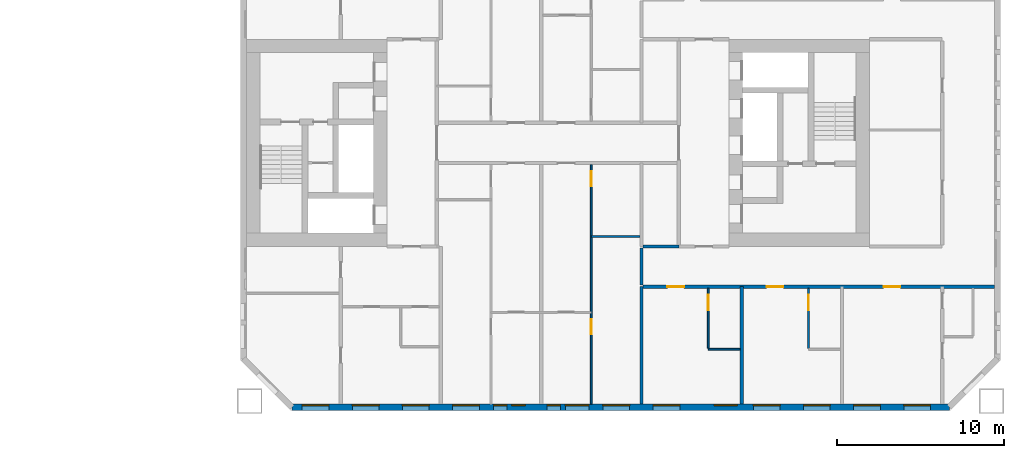
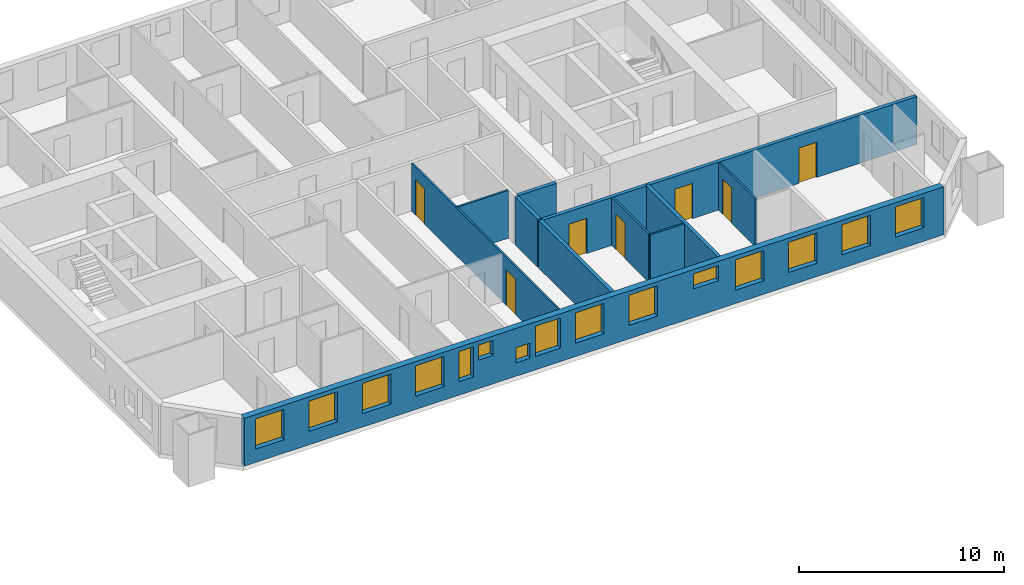
# One storey, part 13 of 19: 15 windows, 11 walls, 7 doors, 22 openings.
"""IFC4 building model written with IfcOpenShell, lengths in metres."""

import ifcopenshell
import ifcopenshell.guid

model = None  # the IFC model being written
_history = None  # IfcOwnerHistory: only IFC2X3 demands one
_inside = {}  # id of a spatial element -> (the spatial element, [elements in it])
_under = {}  # id of a project, library or spatial element -> (it, [spatial elements below it])
_declared = {}  # id of a project -> (the project, [libraries it declares])
_typed = {}  # id of a type object -> (the type object, [elements of that type])
_made_of = {}  # id of a material, layer set ... -> (it, [elements and type objects made of it])


def new_model(schema):
    """Start an empty IFC model of exactly this schema.

    Asked for "IFC4X3", IfcOpenShell would pick the latest addendum, in which some entities
    have other attributes; the version numbers below select the first issue.
    IFC2X3 requires an IfcOwnerHistory on every rooted entity: one is made here for all.
    """
    global model, _history
    if schema == "IFC4X3":
        model = ifcopenshell.file(schema_version=(4, 3, 0, 0))
    else:
        model = ifcopenshell.file(schema=schema)
    _inside.clear()
    _under.clear()
    _declared.clear()
    _typed.clear()
    _made_of.clear()
    _history = None
    if model.schema == "IFC2X3":
        org = make("IfcOrganization", Name="unknown")
        user = make(
            "IfcPersonAndOrganization",
            ThePerson=make("IfcPerson", FamilyName="unknown"),
            TheOrganization=org,
        )
        app = make(
            "IfcApplication",
            ApplicationDeveloper=org,
            Version="unknown",
            ApplicationFullName="unknown",
            ApplicationIdentifier="unknown",
        )
        _history = make(
            "IfcOwnerHistory",
            OwningUser=user,
            OwningApplication=app,
            ChangeAction="ADDED",
            CreationDate=0,
        )
    return model


def make(cls, **values):
    """One entity of the class cls with the attributes given. An attribute that is None is left unset."""
    return model.create_entity(
        cls, **{name: value for name, value in values.items() if value is not None}
    )


def rooted(cls, **values):
    """An entity with a GlobalId (a new one), such as an element, a storey or a relation."""
    return make(cls, GlobalId=ifcopenshell.guid.new(), OwnerHistory=_history, **values)


def si_unit(unit_type, name, prefix=None):
    """IfcSIUnit, for example si_unit("LENGTHUNIT", "METRE", prefix="MILLI")."""
    return make("IfcSIUnit", UnitType=unit_type, Prefix=prefix, Name=name)


def assignment(units):
    """IfcUnitAssignment: the units of a project."""
    return None if units is None else make("IfcUnitAssignment", Units=units)


def point(xyz):
    """IfcCartesianPoint."""
    return None if xyz is None else make("IfcCartesianPoint", Coordinates=xyz)


def direction(xyz):
    """IfcDirection."""
    return None if xyz is None else make("IfcDirection", DirectionRatios=xyz)


def frame(location, z_axis=None, x_axis=None):
    """IfcAxis2Placement3D, a coordinate frame: its origin and axes. An axis left out is left unset."""
    return make(
        "IfcAxis2Placement3D",
        Location=point(location),
        Axis=direction(z_axis),
        RefDirection=direction(x_axis),
    )


def frame_2d(location, x_axis=None):
    """IfcAxis2Placement2D, a coordinate frame in the plane: its origin and x axis."""
    return make(
        "IfcAxis2Placement2D", Location=point(location), RefDirection=direction(x_axis)
    )


def origin():
    """The frame at (0, 0, 0) with its axes left unset."""
    return frame((0.0, 0.0, 0.0))


def place(relative_to, where):
    """IfcLocalPlacement: puts the frame where relative to a parent placement (None: the world)."""
    return make(
        "IfcLocalPlacement", PlacementRelTo=relative_to, RelativePlacement=where
    )


def context(
    kind, dimensions, precision=None, world=None, true_north=None, identifier=None
):
    """IfcGeometricRepresentationContext, for example the 3D "Model" context."""
    return make(
        "IfcGeometricRepresentationContext",
        ContextIdentifier=identifier,
        ContextType=kind,
        CoordinateSpaceDimension=dimensions,
        Precision=precision,
        WorldCoordinateSystem=world,
        TrueNorth=true_north,
    )


def subcontext(parent, identifier, kind, view, scale=None):
    """IfcGeometricRepresentationSubContext, for example "Body" below "Model"."""
    return make(
        "IfcGeometricRepresentationSubContext",
        ContextIdentifier=identifier,
        ContextType=kind,
        ParentContext=parent,
        TargetScale=scale,
        TargetView=view,
    )


def project(units=None, contexts=None):
    """IfcProject with its units and contexts."""
    return rooted(
        "IfcProject",
        Name="project",
        RepresentationContexts=contexts,
        UnitsInContext=assignment(units),
    )


def spatial(cls, under=None, at=None, **own):
    """A site, building, storey or space (cls), placed at a placement, below another one or the project."""
    s = rooted(cls, ObjectPlacement=at, **own)
    if under is not None:
        _under.setdefault(under.id(), (under, []))[1].append(s)
    return s


def profile(cls, at=None, kind="AREA", **sizes):
    """A parametric profile (cls). Its sizes go by their IFC names, for example OverallWidth=200.0."""
    return make(cls, ProfileType=kind, Position=at, **sizes)


def rectangle(**sizes):
    """IfcRectangleProfileDef."""
    return profile("IfcRectangleProfileDef", **sizes)


def extrude(swept, where, along, depth):
    """IfcExtrudedAreaSolid: the profile swept, set in the frame where, extruded along a direction by depth."""
    return make(
        "IfcExtrudedAreaSolid",
        SweptArea=swept,
        Position=where,
        ExtrudedDirection=direction(along),
        Depth=depth,
    )


def shape(context_of_items, identifier, shape_type, items):
    """IfcShapeRepresentation: the items that make up one representation, for example the "Body"."""
    return make(
        "IfcShapeRepresentation",
        ContextOfItems=context_of_items,
        RepresentationIdentifier=identifier,
        RepresentationType=shape_type,
        Items=items,
    )


def material(Name=None, Category=None):
    """IfcMaterial."""
    return make("IfcMaterial", Name=Name, Category=Category)


def layer(
    of_material, thickness, ventilated=None, Name=None, Category=None, Priority=None
):
    """IfcMaterialLayer: one layer of a wall or slab, of a material (None: an air gap)."""
    return make(
        "IfcMaterialLayer",
        Material=of_material,
        LayerThickness=thickness,
        IsVentilated=ventilated,
        Name=Name,
        Category=Category,
        Priority=Priority,
    )


def layer_set(layers, Name=None):
    """IfcMaterialLayerSet."""
    return make("IfcMaterialLayerSet", MaterialLayers=layers, LayerSetName=Name)


def made_of(thing, what):
    """Note that an element or type object is made of a material, layer set ...; save() writes the relation."""
    if what is not None:
        _made_of.setdefault(what.id(), (what, []))[1].append(thing)
    return thing


def type_object(cls, material=None, **own):
    """A type object (cls), such as IfcWallType, which elements share."""
    return made_of(rooted(cls, **own), material)


def element(
    cls,
    number,
    at=None,
    inside=None,
    cuts=None,
    type_object=None,
    material=None,
    context=None,
    identifier="Body",
    shape_type=None,
    held_by="IfcProductDefinitionShape",
    body=None,
    shapes=None,
    **own,
):
    """One element of the class cls, such as IfcWall. Its Tag is "e" and its number.

    at: its placement. inside: the storey or other place that contains it. cuts: it is an
    opening in that element (IfcRelVoidsElement). A single representation is given by context,
    identifier, shape_type and body (its items); several are given by shapes. held_by: the class
    of the entity that holds the representations. save() writes the other relations.
    """
    e = rooted(cls, Tag="e%d" % number, ObjectPlacement=at, **own)
    if body is not None:
        shapes = [shape(context, identifier, shape_type, body)]
    if shapes is not None:
        e.Representation = make(held_by, Representations=shapes)
    if inside is not None:
        _inside.setdefault(inside.id(), (inside, []))[1].append(e)
    if cuts is not None:
        rooted(
            "IfcRelVoidsElement", RelatingBuildingElement=cuts, RelatedOpeningElement=e
        )
    if type_object is not None:
        _typed.setdefault(type_object.id(), (type_object, []))[1].append(e)
    return made_of(e, material)


def fill(opening, filler):
    """IfcRelFillsElement: the door or window that sits in an opening."""
    return rooted(
        "IfcRelFillsElement",
        RelatingOpeningElement=opening,
        RelatedBuildingElement=filler,
    )


def aggregate(whole, parts):
    """IfcRelAggregates: a whole, such as a stair, and the parts it consists of."""
    return rooted("IfcRelAggregates", RelatingObject=whole, RelatedObjects=parts)


def save(model, path):
    """Write the relations noted so far, then the file.

    IfcRelAggregates (storeys below a building ...), IfcRelContainedInSpatialStructure (elements
    in a storey), IfcRelDefinesByType, IfcRelAssociatesMaterial and IfcRelDeclares: one each for
    every whole, place, type object, material and project.
    """
    for whole, parts in _under.values():
        aggregate(whole, parts)
    for where, things in _inside.values():
        rooted(
            "IfcRelContainedInSpatialStructure",
            RelatedElements=things,
            RelatingStructure=where,
        )
    for kind, things in _typed.values():
        rooted("IfcRelDefinesByType", RelatedObjects=things, RelatingType=kind)
    for what, things in _made_of.values():
        rooted("IfcRelAssociatesMaterial", RelatedObjects=things, RelatingMaterial=what)
    for by, libraries in _declared.values():
        rooted("IfcRelDeclares", RelatingContext=by, RelatedDefinitions=libraries)
    model.write(path)


model = new_model("IFC4")

# Units and contexts
model_context = context("Model", 3, precision=1e-05, world=origin(), true_north=direction((0.0, 1.0)))
body_context = subcontext(model_context, "Body", "Model", "MODEL_VIEW")
ifc_project = project(units=[si_unit("LENGTHUNIT", "METRE"), si_unit("AREAUNIT", "SQUARE_METRE"), si_unit("VOLUMEUNIT", "CUBIC_METRE"), si_unit("PLANEANGLEUNIT", "RADIAN"), si_unit("MASSUNIT", "GRAM", prefix="KILO")], contexts=[model_context])

# Site, building, storey
site_placement = place(None, origin())
site = spatial("IfcSite", under=ifc_project, at=site_placement, CompositionType="ELEMENT")
building_placement = place(site_placement, origin())
building = spatial("IfcBuilding", under=site, at=building_placement, Name="Tuart Gate Housing", CompositionType="ELEMENT")
storey_placement = place(building_placement, frame((0.0, 0.0, 56.699951171875)))
storey = spatial("IfcBuildingStorey", under=building, at=storey_placement, Name="L15", CompositionType="ELEMENT", Elevation=56.699951171875)

# Wall, openings, windows
ifc_material_1 = material(Name="Brick", Category="masonry")
ifc_layer_1 = layer(ifc_material_1, 0.360107421875)
ifc_layer_set_1 = layer_set([ifc_layer_1], Name="Brick pier and spandrel wall 360")
wall_type_1 = type_object("IfcWallType", Name="Brick pier and spandrel wall 360", PredefinedType="STANDARD", material=ifc_layer_set_1)
wall_1_placement = place(storey_placement, frame((134.07470703125, 54.179931640625, 0.0), z_axis=(0.0, 0.0, 1.0), x_axis=(1.0, 0.0, 0.0)))
wall_1 = element("IfcWall", 1, at=wall_1_placement, inside=storey, type_object=wall_type_1, Name="External wall B-S L15", PredefinedType="STANDARD", context=body_context, shape_type="SweptSolid", body=[
    extrude(rectangle(XDim=39.350830078125, YDim=0.360107421875, at=frame_2d((19.67529296875, 0.0))), origin(), (0.0, 0.0, 1.0), 2.85009765625),
])
opening_1_placement = place(wall_1_placement, frame((0.62548828125, 0.0, 0.800048828125)))
opening_1 = element("IfcOpeningElement", 2, at=opening_1_placement, cuts=wall_1, Name="Opening W1", PredefinedType="OPENING", context=body_context, shape_type="SweptSolid", body=[
    extrude(rectangle(XDim=1.60009765625, YDim=1.800048828125, at=frame_2d((0.800048828125, 0.89990234375))), frame((0.0, 0.18994140625, 0.0), z_axis=(0.0, -1.0, 0.0), x_axis=(1.0, 0.0, 0.0)), (0.0, 0.0, 1.0), 0.380126953125),
])
opening_2_placement = place(wall_1_placement, frame((3.62548828125, 0.0, 0.800048828125)))
opening_2 = element("IfcOpeningElement", 3, at=opening_2_placement, cuts=wall_1, Name="Opening W1", PredefinedType="OPENING", context=body_context, shape_type="SweptSolid", body=[
    extrude(rectangle(XDim=1.60009765625, YDim=1.800048828125, at=frame_2d((0.800048828125, 0.89990234375))), frame((0.0, 0.18994140625, 0.0), z_axis=(0.0, -1.0, 0.0), x_axis=(1.0, 0.0, 0.0)), (0.0, 0.0, 1.0), 0.380126953125),
])
opening_3_placement = place(wall_1_placement, frame((6.62548828125, 0.0, 0.800048828125)))
opening_3 = element("IfcOpeningElement", 4, at=opening_3_placement, cuts=wall_1, Name="Opening W1", PredefinedType="OPENING", context=body_context, shape_type="SweptSolid", body=[
    extrude(rectangle(XDim=1.60009765625, YDim=1.800048828125, at=frame_2d((0.800048828125, 0.89990234375))), frame((0.0, 0.18994140625, 0.0), z_axis=(0.0, -1.0, 0.0), x_axis=(1.0, 0.0, 0.0)), (0.0, 0.0, 1.0), 0.380126953125),
])
opening_4_placement = place(wall_1_placement, frame((9.62548828125, 0.0, 0.800048828125)))
opening_4 = element("IfcOpeningElement", 5, at=opening_4_placement, cuts=wall_1, Name="Opening W1", PredefinedType="OPENING", context=body_context, shape_type="SweptSolid", body=[
    extrude(rectangle(XDim=1.60009765625, YDim=1.800048828125, at=frame_2d((0.800048828125, 0.89990234375))), frame((0.0, 0.18994140625, 0.0), z_axis=(0.0, -1.0, 0.0), x_axis=(1.0, 0.0, 0.0)), (0.0, 0.0, 1.0), 0.380126953125),
])
opening_5_placement = place(wall_1_placement, frame((12.075439453125, 0.0, 0.800048828125)))
opening_5 = element("IfcOpeningElement", 6, at=opening_5_placement, cuts=wall_1, Name="Opening W1D", PredefinedType="OPENING", context=body_context, shape_type="SweptSolid", body=[
    extrude(rectangle(XDim=0.800048828125, YDim=1.800048828125, at=frame_2d((0.39990234375, 0.89990234375))), frame((0.0, 0.18994140625, 0.0), z_axis=(0.0, -1.0, 0.0), x_axis=(1.0, 0.0, 0.0)), (0.0, 0.0, 1.0), 0.380126953125),
])
opening_6_placement = place(wall_1_placement, frame((15.275390625, 0.0, 0.800048828125)))
opening_6 = element("IfcOpeningElement", 7, at=opening_6_placement, cuts=wall_1, Name="Opening W1V", PredefinedType="OPENING", context=body_context, shape_type="SweptSolid", body=[
    extrude(rectangle(XDim=0.800048828125, YDim=0.89990234375, at=frame_2d((0.39990234375, 0.449951171875))), frame((0.0, 0.18994140625, 0.0), z_axis=(0.0, -1.0, 0.0), x_axis=(1.0, 0.0, 0.0)), (0.0, 0.0, 1.0), 0.380126953125),
])
opening_7_placement = place(wall_1_placement, frame((18.62548828125, 0.0, 0.800048828125)))
opening_7 = element("IfcOpeningElement", 8, at=opening_7_placement, cuts=wall_1, Name="Opening W1", PredefinedType="OPENING", context=body_context, shape_type="SweptSolid", body=[
    extrude(rectangle(XDim=1.60009765625, YDim=1.800048828125, at=frame_2d((0.800048828125, 0.89990234375))), frame((0.0, 0.18994140625, 0.0), z_axis=(0.0, -1.0, 0.0), x_axis=(1.0, 0.0, 0.0)), (0.0, 0.0, 1.0), 0.380126953125),
])
opening_8_placement = place(wall_1_placement, frame((21.62548828125, 0.0, 0.800048828125)))
opening_8 = element("IfcOpeningElement", 9, at=opening_8_placement, cuts=wall_1, Name="Opening W1", PredefinedType="OPENING", context=body_context, shape_type="SweptSolid", body=[
    extrude(rectangle(XDim=1.60009765625, YDim=1.800048828125, at=frame_2d((0.800048828125, 0.89990234375))), frame((0.0, 0.18994140625, 0.0), z_axis=(0.0, -1.0, 0.0), x_axis=(1.0, 0.0, 0.0)), (0.0, 0.0, 1.0), 0.380126953125),
])
opening_9_placement = place(wall_1_placement, frame((25.275390625, 0.0, 1.699951171875)))
opening_9 = element("IfcOpeningElement", 10, at=opening_9_placement, cuts=wall_1, Name="Opening W1S", PredefinedType="OPENING", context=body_context, shape_type="SweptSolid", body=[
    extrude(rectangle(XDim=1.39990234375, YDim=0.89990234375, at=frame_2d((0.699951171875, 0.449951171875))), frame((0.0, 0.18994140625, 0.0), z_axis=(0.0, -1.0, 0.0), x_axis=(1.0, 0.0, 0.0)), (0.0, 0.0, 1.0), 0.380126953125),
])
opening_10_placement = place(wall_1_placement, frame((27.62548828125, 0.0, 0.800048828125)))
opening_10 = element("IfcOpeningElement", 11, at=opening_10_placement, cuts=wall_1, Name="Opening W1", PredefinedType="OPENING", context=body_context, shape_type="SweptSolid", body=[
    extrude(rectangle(XDim=1.60009765625, YDim=1.800048828125, at=frame_2d((0.800048828125, 0.89990234375))), frame((0.0, 0.18994140625, 0.0), z_axis=(0.0, -1.0, 0.0), x_axis=(1.0, 0.0, 0.0)), (0.0, 0.0, 1.0), 0.380126953125),
])
opening_11_placement = place(wall_1_placement, frame((30.62548828125, 0.0, 0.800048828125)))
opening_11 = element("IfcOpeningElement", 12, at=opening_11_placement, cuts=wall_1, Name="Opening W1", PredefinedType="OPENING", context=body_context, shape_type="SweptSolid", body=[
    extrude(rectangle(XDim=1.60009765625, YDim=1.800048828125, at=frame_2d((0.800048828125, 0.89990234375))), frame((0.0, 0.18994140625, 0.0), z_axis=(0.0, -1.0, 0.0), x_axis=(1.0, 0.0, 0.0)), (0.0, 0.0, 1.0), 0.380126953125),
])
opening_12_placement = place(wall_1_placement, frame((33.62548828125, 0.0, 0.800048828125)))
opening_12 = element("IfcOpeningElement", 13, at=opening_12_placement, cuts=wall_1, Name="Opening W1", PredefinedType="OPENING", context=body_context, shape_type="SweptSolid", body=[
    extrude(rectangle(XDim=1.60009765625, YDim=1.800048828125, at=frame_2d((0.800048828125, 0.89990234375))), frame((0.0, 0.18994140625, 0.0), z_axis=(0.0, -1.0, 0.0), x_axis=(1.0, 0.0, 0.0)), (0.0, 0.0, 1.0), 0.380126953125),
])
opening_13_placement = place(wall_1_placement, frame((36.62548828125, 0.0, 0.800048828125)))
opening_13 = element("IfcOpeningElement", 14, at=opening_13_placement, cuts=wall_1, Name="Opening W1", PredefinedType="OPENING", context=body_context, shape_type="SweptSolid", body=[
    extrude(rectangle(XDim=1.60009765625, YDim=1.800048828125, at=frame_2d((0.800048828125, 0.89990234375))), frame((0.0, 0.18994140625, 0.0), z_axis=(0.0, -1.0, 0.0), x_axis=(1.0, 0.0, 0.0)), (0.0, 0.0, 1.0), 0.380126953125),
])
opening_14_placement = place(wall_1_placement, frame((13.17529296875, 0.0, 1.699951171875)))
opening_14 = element("IfcOpeningElement", 15, at=opening_14_placement, cuts=wall_1, Name="Opening W1V", PredefinedType="OPENING", context=body_context, shape_type="SweptSolid", body=[
    extrude(rectangle(XDim=0.800048828125, YDim=0.89990234375, at=frame_2d((0.39990234375, 0.449951171875))), frame((0.0, 0.18994140625, 0.0), z_axis=(0.0, -1.0, 0.0), x_axis=(1.0, 0.0, 0.0)), (0.0, 0.0, 1.0), 0.380126953125),
])
opening_15_placement = place(wall_1_placement, frame((16.37548828125, 0.0, 0.800048828125)))
opening_15 = element("IfcOpeningElement", 16, at=opening_15_placement, cuts=wall_1, Name="Opening W1A", PredefinedType="OPENING", context=body_context, shape_type="SweptSolid", body=[
    extrude(rectangle(XDim=1.39990234375, YDim=1.800048828125, at=frame_2d((0.699951171875, 0.89990234375))), frame((0.0, 0.18994140625, 0.0), z_axis=(0.0, -1.0, 0.0), x_axis=(1.0, 0.0, 0.0)), (0.0, 0.0, 1.0), 0.380126953125),
])
ifc_material_2 = material(Name="Aluminium frame with clear glass", Category="aluminium")
window_type_1 = type_object("IfcWindowType", Name="Punched window 1400 x 1800", PartitioningType="SINGLE_PANEL", PredefinedType="WINDOW", material=ifc_material_2)
window_1_placement = place(opening_15_placement, origin())
window_1 = element("IfcWindow", 17, at=window_1_placement, inside=storey, type_object=window_type_1, Name="Window W1A", OverallHeight=1.800048828125, OverallWidth=1.39990234375, PartitioningType="SINGLE_PANEL", PredefinedType="WINDOW", context=body_context, shape_type="SweptSolid", body=[
    extrude(rectangle(XDim=1.39990234375, YDim=1.800048828125, at=frame_2d((0.699951171875, 0.89990234375))), frame((0.0, 0.150146484375, 0.0), z_axis=(0.0, -1.0, 0.0), x_axis=(1.0, 0.0, 0.0)), (0.0, 0.0, 1.0), 0.06005859375),
])
fill(opening_15, window_1)
ifc_material_3 = material(Name="Aluminium frame with clear glass", Category="aluminium")
window_type_2 = type_object("IfcWindowType", Name="Punched window 1400 x 900", PartitioningType="SINGLE_PANEL", PredefinedType="WINDOW", material=ifc_material_3)
window_2_placement = place(opening_9_placement, origin())
window_2 = element("IfcWindow", 18, at=window_2_placement, inside=storey, type_object=window_type_2, Name="Window W1S", OverallHeight=0.89990234375, OverallWidth=1.39990234375, PartitioningType="SINGLE_PANEL", PredefinedType="WINDOW", context=body_context, shape_type="SweptSolid", body=[
    extrude(rectangle(XDim=1.39990234375, YDim=0.89990234375, at=frame_2d((0.699951171875, 0.449951171875))), frame((0.0, 0.150146484375, 0.0), z_axis=(0.0, -1.0, 0.0), x_axis=(1.0, 0.0, 0.0)), (0.0, 0.0, 1.0), 0.06005859375),
])
fill(opening_9, window_2)
ifc_material_4 = material(Name="Aluminium frame with clear glass", Category="aluminium")
window_type_3 = type_object("IfcWindowType", Name="Punched window 1600 x 1800", PartitioningType="SINGLE_PANEL", PredefinedType="WINDOW", material=ifc_material_4)
window_3_placement = place(opening_1_placement, origin())
window_3 = element("IfcWindow", 19, at=window_3_placement, inside=storey, type_object=window_type_3, Name="Window W1", OverallHeight=1.800048828125, OverallWidth=1.60009765625, PartitioningType="SINGLE_PANEL", PredefinedType="WINDOW", context=body_context, shape_type="SweptSolid", body=[
    extrude(rectangle(XDim=1.60009765625, YDim=1.800048828125, at=frame_2d((0.800048828125, 0.89990234375))), frame((0.0, 0.150146484375, 0.0), z_axis=(0.0, -1.0, 0.0), x_axis=(1.0, 0.0, 0.0)), (0.0, 0.0, 1.0), 0.06005859375),
])
fill(opening_1, window_3)
window_4_placement = place(opening_2_placement, origin())
window_4 = element("IfcWindow", 20, at=window_4_placement, inside=storey, type_object=window_type_3, Name="Window W1", OverallHeight=1.800048828125, OverallWidth=1.60009765625, PartitioningType="SINGLE_PANEL", PredefinedType="WINDOW", context=body_context, shape_type="SweptSolid", body=[
    extrude(rectangle(XDim=1.60009765625, YDim=1.800048828125, at=frame_2d((0.800048828125, 0.89990234375))), frame((0.0, 0.150146484375, 0.0), z_axis=(0.0, -1.0, 0.0), x_axis=(1.0, 0.0, 0.0)), (0.0, 0.0, 1.0), 0.06005859375),
])
fill(opening_2, window_4)
window_5_placement = place(opening_3_placement, origin())
window_5 = element("IfcWindow", 21, at=window_5_placement, inside=storey, type_object=window_type_3, Name="Window W1", OverallHeight=1.800048828125, OverallWidth=1.60009765625, PartitioningType="SINGLE_PANEL", PredefinedType="WINDOW", context=body_context, shape_type="SweptSolid", body=[
    extrude(rectangle(XDim=1.60009765625, YDim=1.800048828125, at=frame_2d((0.800048828125, 0.89990234375))), frame((0.0, 0.150146484375, 0.0), z_axis=(0.0, -1.0, 0.0), x_axis=(1.0, 0.0, 0.0)), (0.0, 0.0, 1.0), 0.06005859375),
])
fill(opening_3, window_5)
window_6_placement = place(opening_4_placement, origin())
window_6 = element("IfcWindow", 22, at=window_6_placement, inside=storey, type_object=window_type_3, Name="Window W1", OverallHeight=1.800048828125, OverallWidth=1.60009765625, PartitioningType="SINGLE_PANEL", PredefinedType="WINDOW", context=body_context, shape_type="SweptSolid", body=[
    extrude(rectangle(XDim=1.60009765625, YDim=1.800048828125, at=frame_2d((0.800048828125, 0.89990234375))), frame((0.0, 0.150146484375, 0.0), z_axis=(0.0, -1.0, 0.0), x_axis=(1.0, 0.0, 0.0)), (0.0, 0.0, 1.0), 0.06005859375),
])
fill(opening_4, window_6)
window_7_placement = place(opening_7_placement, origin())
window_7 = element("IfcWindow", 23, at=window_7_placement, inside=storey, type_object=window_type_3, Name="Window W1", OverallHeight=1.800048828125, OverallWidth=1.60009765625, PartitioningType="SINGLE_PANEL", PredefinedType="WINDOW", context=body_context, shape_type="SweptSolid", body=[
    extrude(rectangle(XDim=1.60009765625, YDim=1.800048828125, at=frame_2d((0.800048828125, 0.89990234375))), frame((0.0, 0.150146484375, 0.0), z_axis=(0.0, -1.0, 0.0), x_axis=(1.0, 0.0, 0.0)), (0.0, 0.0, 1.0), 0.06005859375),
])
fill(opening_7, window_7)
window_8_placement = place(opening_8_placement, origin())
window_8 = element("IfcWindow", 24, at=window_8_placement, inside=storey, type_object=window_type_3, Name="Window W1", OverallHeight=1.800048828125, OverallWidth=1.60009765625, PartitioningType="SINGLE_PANEL", PredefinedType="WINDOW", context=body_context, shape_type="SweptSolid", body=[
    extrude(rectangle(XDim=1.60009765625, YDim=1.800048828125, at=frame_2d((0.800048828125, 0.89990234375))), frame((0.0, 0.150146484375, 0.0), z_axis=(0.0, -1.0, 0.0), x_axis=(1.0, 0.0, 0.0)), (0.0, 0.0, 1.0), 0.06005859375),
])
fill(opening_8, window_8)
window_9_placement = place(opening_10_placement, origin())
window_9 = element("IfcWindow", 25, at=window_9_placement, inside=storey, type_object=window_type_3, Name="Window W1", OverallHeight=1.800048828125, OverallWidth=1.60009765625, PartitioningType="SINGLE_PANEL", PredefinedType="WINDOW", context=body_context, shape_type="SweptSolid", body=[
    extrude(rectangle(XDim=1.60009765625, YDim=1.800048828125, at=frame_2d((0.800048828125, 0.89990234375))), frame((0.0, 0.150146484375, 0.0), z_axis=(0.0, -1.0, 0.0), x_axis=(1.0, 0.0, 0.0)), (0.0, 0.0, 1.0), 0.06005859375),
])
fill(opening_10, window_9)
window_10_placement = place(opening_11_placement, origin())
window_10 = element("IfcWindow", 26, at=window_10_placement, inside=storey, type_object=window_type_3, Name="Window W1", OverallHeight=1.800048828125, OverallWidth=1.60009765625, PartitioningType="SINGLE_PANEL", PredefinedType="WINDOW", context=body_context, shape_type="SweptSolid", body=[
    extrude(rectangle(XDim=1.60009765625, YDim=1.800048828125, at=frame_2d((0.800048828125, 0.89990234375))), frame((0.0, 0.150146484375, 0.0), z_axis=(0.0, -1.0, 0.0), x_axis=(1.0, 0.0, 0.0)), (0.0, 0.0, 1.0), 0.06005859375),
])
fill(opening_11, window_10)
window_11_placement = place(opening_12_placement, origin())
window_11 = element("IfcWindow", 27, at=window_11_placement, inside=storey, type_object=window_type_3, Name="Window W1", OverallHeight=1.800048828125, OverallWidth=1.60009765625, PartitioningType="SINGLE_PANEL", PredefinedType="WINDOW", context=body_context, shape_type="SweptSolid", body=[
    extrude(rectangle(XDim=1.60009765625, YDim=1.800048828125, at=frame_2d((0.800048828125, 0.89990234375))), frame((0.0, 0.150146484375, 0.0), z_axis=(0.0, -1.0, 0.0), x_axis=(1.0, 0.0, 0.0)), (0.0, 0.0, 1.0), 0.06005859375),
])
fill(opening_12, window_11)
window_12_placement = place(opening_13_placement, origin())
window_12 = element("IfcWindow", 28, at=window_12_placement, inside=storey, type_object=window_type_3, Name="Window W1", OverallHeight=1.800048828125, OverallWidth=1.60009765625, PartitioningType="SINGLE_PANEL", PredefinedType="WINDOW", context=body_context, shape_type="SweptSolid", body=[
    extrude(rectangle(XDim=1.60009765625, YDim=1.800048828125, at=frame_2d((0.800048828125, 0.89990234375))), frame((0.0, 0.150146484375, 0.0), z_axis=(0.0, -1.0, 0.0), x_axis=(1.0, 0.0, 0.0)), (0.0, 0.0, 1.0), 0.06005859375),
])
fill(opening_13, window_12)
ifc_material_5 = material(Name="Aluminium frame with clear glass", Category="aluminium")
window_type_4 = type_object("IfcWindowType", Name="Punched window 800 x 1800", PartitioningType="SINGLE_PANEL", PredefinedType="WINDOW", material=ifc_material_5)
window_13_placement = place(opening_5_placement, origin())
window_13 = element("IfcWindow", 29, at=window_13_placement, inside=storey, type_object=window_type_4, Name="Window W1D", OverallHeight=1.800048828125, OverallWidth=0.800048828125, PartitioningType="SINGLE_PANEL", PredefinedType="WINDOW", context=body_context, shape_type="SweptSolid", body=[
    extrude(rectangle(XDim=0.800048828125, YDim=1.800048828125, at=frame_2d((0.39990234375, 0.89990234375))), frame((0.0, 0.150146484375, 0.0), z_axis=(0.0, -1.0, 0.0), x_axis=(1.0, 0.0, 0.0)), (0.0, 0.0, 1.0), 0.06005859375),
])
fill(opening_5, window_13)
ifc_material_6 = material(Name="Aluminium frame with clear glass", Category="aluminium")
window_type_5 = type_object("IfcWindowType", Name="Punched window 800 x 900", PartitioningType="SINGLE_PANEL", PredefinedType="WINDOW", material=ifc_material_6)
window_14_placement = place(opening_6_placement, origin())
window_14 = element("IfcWindow", 30, at=window_14_placement, inside=storey, type_object=window_type_5, Name="Window W1V", OverallHeight=0.89990234375, OverallWidth=0.800048828125, PartitioningType="SINGLE_PANEL", PredefinedType="WINDOW", context=body_context, shape_type="SweptSolid", body=[
    extrude(rectangle(XDim=0.800048828125, YDim=0.89990234375, at=frame_2d((0.39990234375, 0.449951171875))), frame((0.0, 0.150146484375, 0.0), z_axis=(0.0, -1.0, 0.0), x_axis=(1.0, 0.0, 0.0)), (0.0, 0.0, 1.0), 0.06005859375),
])
fill(opening_6, window_14)
window_15_placement = place(opening_14_placement, origin())
window_15 = element("IfcWindow", 31, at=window_15_placement, inside=storey, type_object=window_type_5, Name="Window W1V", OverallHeight=0.89990234375, OverallWidth=0.800048828125, PartitioningType="SINGLE_PANEL", PredefinedType="WINDOW", context=body_context, shape_type="SweptSolid", body=[
    extrude(rectangle(XDim=0.800048828125, YDim=0.89990234375, at=frame_2d((0.39990234375, 0.449951171875))), frame((0.0, 0.150146484375, 0.0), z_axis=(0.0, -1.0, 0.0), x_axis=(1.0, 0.0, 0.0)), (0.0, 0.0, 1.0), 0.06005859375),
])
fill(opening_14, window_15)

# Wall, openings, doors
ifc_material_7 = material(Name="Concrete masonry 15 MPa", Category="masonry")
ifc_layer_2 = layer(ifc_material_7, 0.199951171875)
ifc_layer_set_2 = layer_set([ifc_layer_2], Name="Corridor wall masonry 200")
wall_type_2 = type_object("IfcWallType", Name="Corridor wall masonry 200", PredefinedType="PARTITIONING", material=ifc_layer_set_2)
wall_2_placement = place(storey_placement, frame((155.10009765625, 61.39990234375, 0.0), z_axis=(0.0, 0.0, 1.0), x_axis=(1.0, 0.0, 0.0)))
wall_2 = element("IfcWall", 32, at=wall_2_placement, inside=storey, type_object=wall_type_2, Name="Corridor wall masonry 200", PredefinedType="PARTITIONING", context=body_context, shape_type="SweptSolid", body=[
    extrude(rectangle(XDim=21.039794921875, YDim=0.199951171875, at=frame_2d((10.52001953125, 0.0))), origin(), (0.0, 0.0, 1.0), 2.85009765625),
])
opening_16_placement = place(wall_2_placement, frame((1.449951171875, 0.0, 0.0)))
opening_16 = element("IfcOpeningElement", 33, at=opening_16_placement, cuts=wall_2, Name="Opening D820", PredefinedType="OPENING", context=body_context, shape_type="SweptSolid", body=[
    extrude(rectangle(XDim=1.0, YDim=2.10009765625, at=frame_2d((0.5, 1.050048828125))), frame((0.0, 0.10986328125, 0.0), z_axis=(0.0, -1.0, 0.0), x_axis=(1.0, 0.0, 0.0)), (0.0, 0.0, 1.0), 0.219970703125),
])
opening_17_placement = place(wall_2_placement, frame((7.39990234375, 0.0, 0.0)))
opening_17 = element("IfcOpeningElement", 34, at=opening_17_placement, cuts=wall_2, Name="Opening D821", PredefinedType="OPENING", context=body_context, shape_type="SweptSolid", body=[
    extrude(rectangle(XDim=1.0, YDim=2.10009765625, at=frame_2d((0.5, 1.050048828125))), frame((0.0, 0.10986328125, 0.0), z_axis=(0.0, -1.0, 0.0), x_axis=(1.0, 0.0, 0.0)), (0.0, 0.0, 1.0), 0.219970703125),
])
opening_18_placement = place(wall_2_placement, frame((14.39990234375, 0.0, 0.0)))
opening_18 = element("IfcOpeningElement", 35, at=opening_18_placement, cuts=wall_2, Name="Opening D822", PredefinedType="OPENING", context=body_context, shape_type="SweptSolid", body=[
    extrude(rectangle(XDim=1.0, YDim=2.10009765625, at=frame_2d((0.5, 1.050048828125))), frame((0.0, 0.10986328125, 0.0), z_axis=(0.0, -1.0, 0.0), x_axis=(1.0, 0.0, 0.0)), (0.0, 0.0, 1.0), 0.219970703125),
])
ifc_material_8 = material(Name="Timber door leaf in steel frame", Category="steel")
door_type_1 = type_object("IfcDoorType", Name="Flat entrance door 1000", OperationType="SINGLE_SWING_LEFT", PredefinedType="DOOR", material=ifc_material_8)
door_1_placement = place(opening_16_placement, frame((1.0, 0.0, 0.0), z_axis=(0.0, 0.0, 1.0), x_axis=(-1.0, 0.0, 0.0)))
door_1 = element("IfcDoor", 36, at=door_1_placement, inside=storey, type_object=door_type_1, Name="Flat entrance door", OperationType="SINGLE_SWING_LEFT", OverallHeight=2.10009765625, OverallWidth=1.0, PredefinedType="DOOR", context=body_context, shape_type="SweptSolid", body=[
    extrude(rectangle(XDim=1.0, YDim=2.10009765625, at=frame_2d((0.5, 1.050048828125))), frame((0.0, 0.025146484375, 0.0), z_axis=(0.0, -1.0, 0.0), x_axis=(1.0, 0.0, 0.0)), (0.0, 0.0, 1.0), 0.050048828125),
])
fill(opening_16, door_1)
ifc_material_9 = material(Name="Timber door leaf in steel frame", Category="steel")
door_type_2 = type_object("IfcDoorType", Name="Flat entrance door 1000 RH", OperationType="SINGLE_SWING_RIGHT", PredefinedType="DOOR", material=ifc_material_9)
door_2_placement = place(opening_17_placement, frame((1.0, 0.0, 0.0), z_axis=(0.0, 0.0, 1.0), x_axis=(-1.0, 0.0, 0.0)))
door_2 = element("IfcDoor", 37, at=door_2_placement, inside=storey, type_object=door_type_2, Name="Flat entrance door", OperationType="SINGLE_SWING_RIGHT", OverallHeight=2.10009765625, OverallWidth=1.0, PredefinedType="DOOR", context=body_context, shape_type="SweptSolid", body=[
    extrude(rectangle(XDim=1.0, YDim=2.10009765625, at=frame_2d((0.5, 1.050048828125))), frame((0.0, 0.025146484375, 0.0), z_axis=(0.0, -1.0, 0.0), x_axis=(1.0, 0.0, 0.0)), (0.0, 0.0, 1.0), 0.050048828125),
])
fill(opening_17, door_2)
door_3_placement = place(opening_18_placement, frame((1.0, 0.0, 0.0), z_axis=(0.0, 0.0, 1.0), x_axis=(-1.0, 0.0, 0.0)))
door_3 = element("IfcDoor", 38, at=door_3_placement, inside=storey, type_object=door_type_2, Name="Flat entrance door", OperationType="SINGLE_SWING_RIGHT", OverallHeight=2.10009765625, OverallWidth=1.0, PredefinedType="DOOR", context=body_context, shape_type="SweptSolid", body=[
    extrude(rectangle(XDim=1.0, YDim=2.10009765625, at=frame_2d((0.5, 1.050048828125))), frame((0.0, 0.025146484375, 0.0), z_axis=(0.0, -1.0, 0.0), x_axis=(1.0, 0.0, 0.0)), (0.0, 0.0, 1.0), 0.050048828125),
])
fill(opening_18, door_3)

# Walls
wall_3_placement = place(storey_placement, frame((155.10009765625, 63.800048828125, 0.0), z_axis=(0.0, 0.0, 1.0), x_axis=(1.0, 0.0, 0.0)))
element("IfcWall", 39, at=wall_3_placement, inside=storey, type_object=wall_type_2, Name="Corridor wall masonry 200", PredefinedType="PARTITIONING", context=body_context, shape_type="SweptSolid", body=[
    extrude(rectangle(XDim=2.139892578125, YDim=0.199951171875, at=frame_2d((1.06982421875, 0.0))), origin(), (0.0, 0.0, 1.0), 2.85009765625),
])
wall_4_placement = place(storey_placement, frame((155.0, 61.5, 0.0), z_axis=(0.0, 0.0, 1.0), x_axis=(0.0, 1.0, 0.0)))
element("IfcWall", 40, at=wall_4_placement, inside=storey, type_object=wall_type_2, Name="Corridor wall masonry 200", PredefinedType="PARTITIONING", context=body_context, shape_type="SweptSolid", body=[
    extrude(rectangle(XDim=2.199951171875, YDim=0.199951171875, at=frame_2d((1.10009765625, 0.0))), origin(), (0.0, 0.0, 1.0), 2.85009765625),
])
ifc_material_10 = material(Name="Gypsum board on steel studs", Category="steel")
ifc_layer_3 = layer(ifc_material_10, 0.10009765625)
ifc_layer_set_3 = layer_set([ifc_layer_3], Name="Partition 100")
wall_type_3 = type_object("IfcWallType", Name="Partition 100", PredefinedType="PARTITIONING", material=ifc_layer_set_3)
wall_5_placement = place(storey_placement, frame((159.0, 57.64990234375, 0.0), z_axis=(0.0, 0.0, 1.0), x_axis=(1.0, 0.0, 0.0)))
element("IfcWall", 41, at=wall_5_placement, inside=storey, type_object=wall_type_3, Name="Partition 100", PredefinedType="PARTITIONING", context=body_context, shape_type="SweptSolid", body=[
    extrude(rectangle(XDim=1.89990234375, YDim=0.10009765625, at=frame_2d((0.949951171875, 0.0))), origin(), (0.0, 0.0, 1.0), 2.85009765625),
])
wall_6_placement = place(storey_placement, frame((152.0, 64.39990234375, 0.0), z_axis=(0.0, 0.0, 1.0), x_axis=(1.0, 0.0, 0.0)))
element("IfcWall", 42, at=wall_6_placement, inside=storey, type_object=wall_type_3, Name="Partition 100", PredefinedType="PARTITIONING", context=body_context, shape_type="SweptSolid", body=[
    extrude(rectangle(XDim=2.89990234375, YDim=0.10009765625, at=frame_2d((1.449951171875, 0.0))), origin(), (0.0, 0.0, 1.0), 2.85009765625),
])

# Wall, openings, doors
wall_7_placement = place(storey_placement, frame((152.0, 54.360107421875, 0.0), z_axis=(0.0, 0.0, 1.0), x_axis=(0.0, 1.0, 0.0)))
wall_7 = element("IfcWall", 43, at=wall_7_placement, inside=storey, type_object=wall_type_3, Name="Partition 100", PredefinedType="PARTITIONING", context=body_context, shape_type="SweptSolid", body=[
    extrude(rectangle(XDim=14.33984375, YDim=0.10009765625, at=frame_2d((7.169921875, 0.0))), origin(), (0.0, 0.0, 1.0), 2.85009765625),
])
opening_19_placement = place(wall_7_placement, frame((4.199951171875, 0.0, 0.0)))
opening_19 = element("IfcOpeningElement", 44, at=opening_19_placement, cuts=wall_7, Name="Opening D819", PredefinedType="OPENING", context=body_context, shape_type="SweptSolid", body=[
    extrude(rectangle(XDim=0.89990234375, YDim=2.10009765625, at=frame_2d((0.449951171875, 1.050048828125))), frame((0.0, 0.06005859375, 0.0), z_axis=(0.0, -1.0, 0.0), x_axis=(1.0, 0.0, 0.0)), (0.0, 0.0, 1.0), 0.1201171875),
])
opening_20_placement = place(wall_7_placement, frame((13.0400390625, 0.0, 0.0)))
opening_20 = element("IfcOpeningElement", 45, at=opening_20_placement, cuts=wall_7, Name="Opening D818", PredefinedType="OPENING", context=body_context, shape_type="SweptSolid", body=[
    extrude(rectangle(XDim=0.89990234375, YDim=2.10009765625, at=frame_2d((0.449951171875, 1.050048828125))), frame((0.0, 0.06005859375, 0.0), z_axis=(0.0, -1.0, 0.0), x_axis=(1.0, 0.0, 0.0)), (0.0, 0.0, 1.0), 0.1201171875),
])
ifc_material_11 = material(Name="Timber door leaf in steel frame", Category="steel")
door_type_3 = type_object("IfcDoorType", Name="Bathroom door 900", OperationType="SINGLE_SWING_LEFT", PredefinedType="DOOR", material=ifc_material_11)
door_4_placement = place(opening_20_placement, frame((0.89990234375, 0.0, 0.0), z_axis=(0.0, 0.0, 1.0), x_axis=(-1.0, 0.0, 0.0)))
door_4 = element("IfcDoor", 46, at=door_4_placement, inside=storey, type_object=door_type_3, Name="Bathroom door", OperationType="SINGLE_SWING_LEFT", OverallHeight=2.10009765625, OverallWidth=0.89990234375, PredefinedType="DOOR", context=body_context, shape_type="SweptSolid", body=[
    extrude(rectangle(XDim=0.89990234375, YDim=2.10009765625, at=frame_2d((0.449951171875, 1.050048828125))), frame((0.0, 0.025146484375, 0.0), z_axis=(0.0, -1.0, 0.0), x_axis=(1.0, 0.0, 0.0)), (0.0, 0.0, 1.0), 0.050048828125),
])
fill(opening_20, door_4)
ifc_material_12 = material(Name="Timber door leaf in steel frame", Category="steel")
door_type_4 = type_object("IfcDoorType", Name="Internal door 900 RH", OperationType="SINGLE_SWING_RIGHT", PredefinedType="DOOR", material=ifc_material_12)
door_5_placement = place(opening_19_placement, frame((0.89990234375, 0.0, 0.0), z_axis=(0.0, 0.0, 1.0), x_axis=(-1.0, 0.0, 0.0)))
door_5 = element("IfcDoor", 47, at=door_5_placement, inside=storey, type_object=door_type_4, Name="Internal door", OperationType="SINGLE_SWING_RIGHT", OverallHeight=2.10009765625, OverallWidth=0.89990234375, PredefinedType="DOOR", context=body_context, shape_type="SweptSolid", body=[
    extrude(rectangle(XDim=0.89990234375, YDim=2.10009765625, at=frame_2d((0.449951171875, 1.050048828125))), frame((0.0, 0.025146484375, 0.0), z_axis=(0.0, -1.0, 0.0), x_axis=(1.0, 0.0, 0.0)), (0.0, 0.0, 1.0), 0.050048828125),
])
fill(opening_19, door_5)

# Wall, opening, door
wall_8_placement = place(storey_placement, frame((159.0, 57.699951171875, 0.0), z_axis=(0.0, 0.0, 1.0), x_axis=(0.0, 1.0, 0.0)))
wall_8 = element("IfcWall", 48, at=wall_8_placement, inside=storey, type_object=wall_type_3, Name="Partition 100", PredefinedType="PARTITIONING", context=body_context, shape_type="SweptSolid", body=[
    extrude(rectangle(XDim=3.60009765625, YDim=0.10009765625, at=frame_2d((1.800048828125, 0.0))), origin(), (0.0, 0.0, 1.0), 2.85009765625),
])
opening_21_placement = place(wall_8_placement, frame((2.300048828125, 0.0, 0.0)))
opening_21 = element("IfcOpeningElement", 49, at=opening_21_placement, cuts=wall_8, Name="Opening D827", PredefinedType="OPENING", context=body_context, shape_type="SweptSolid", body=[
    extrude(rectangle(XDim=0.89990234375, YDim=2.10009765625, at=frame_2d((0.449951171875, 1.050048828125))), frame((0.0, 0.06005859375, 0.0), z_axis=(0.0, -1.0, 0.0), x_axis=(1.0, 0.0, 0.0)), (0.0, 0.0, 1.0), 0.1201171875),
])
door_6_placement = place(opening_21_placement, frame((0.89990234375, 0.0, 0.0), z_axis=(0.0, 0.0, 1.0), x_axis=(-1.0, 0.0, 0.0)))
door_6 = element("IfcDoor", 50, at=door_6_placement, inside=storey, type_object=door_type_3, Name="Bathroom door", OperationType="SINGLE_SWING_LEFT", OverallHeight=2.10009765625, OverallWidth=0.89990234375, PredefinedType="DOOR", context=body_context, shape_type="SweptSolid", body=[
    extrude(rectangle(XDim=0.89990234375, YDim=2.10009765625, at=frame_2d((0.449951171875, 1.050048828125))), frame((0.0, 0.025146484375, 0.0), z_axis=(0.0, -1.0, 0.0), x_axis=(1.0, 0.0, 0.0)), (0.0, 0.0, 1.0), 0.050048828125),
])
fill(opening_21, door_6)

wall_9_placement = place(storey_placement, frame((165.0, 57.699951171875, 0.0), z_axis=(0.0, 0.0, 1.0), x_axis=(0.0, 1.0, 0.0)))
wall_9 = element("IfcWall", 51, at=wall_9_placement, inside=storey, type_object=wall_type_3, Name="Partition 100", PredefinedType="PARTITIONING", context=body_context, shape_type="SweptSolid", body=[
    extrude(rectangle(XDim=3.60009765625, YDim=0.10009765625, at=frame_2d((1.800048828125, 0.0))), origin(), (0.0, 0.0, 1.0), 2.85009765625),
])
opening_22_placement = place(wall_9_placement, frame((2.300048828125, 0.0, 0.0)))
opening_22 = element("IfcOpeningElement", 52, at=opening_22_placement, cuts=wall_9, Name="Opening D828", PredefinedType="OPENING", context=body_context, shape_type="SweptSolid", body=[
    extrude(rectangle(XDim=0.89990234375, YDim=2.10009765625, at=frame_2d((0.449951171875, 1.050048828125))), frame((0.0, 0.06005859375, 0.0), z_axis=(0.0, -1.0, 0.0), x_axis=(1.0, 0.0, 0.0)), (0.0, 0.0, 1.0), 0.1201171875),
])
door_7_placement = place(opening_22_placement, frame((0.89990234375, 0.0, 0.0), z_axis=(0.0, 0.0, 1.0), x_axis=(-1.0, 0.0, 0.0)))
door_7 = element("IfcDoor", 53, at=door_7_placement, inside=storey, type_object=door_type_3, Name="Bathroom door", OperationType="SINGLE_SWING_LEFT", OverallHeight=2.10009765625, OverallWidth=0.89990234375, PredefinedType="DOOR", context=body_context, shape_type="SweptSolid", body=[
    extrude(rectangle(XDim=0.89990234375, YDim=2.10009765625, at=frame_2d((0.449951171875, 1.050048828125))), frame((0.0, 0.025146484375, 0.0), z_axis=(0.0, -1.0, 0.0), x_axis=(1.0, 0.0, 0.0)), (0.0, 0.0, 1.0), 0.050048828125),
])
fill(opening_22, door_7)

# Walls
ifc_material_13 = material(Name="Concrete C40", Category="concrete")
ifc_layer_4 = layer(ifc_material_13, 0.199951171875)
ifc_layer_set_4 = layer_set([ifc_layer_4], Name="Party wall concrete C40 200")
wall_type_4 = type_object("IfcWallType", Name="Party wall concrete C40 200", PredefinedType="SOLIDWALL", material=ifc_layer_set_4)
for number, where, z_axis, x_axis, name in (
    (54, (155.0, 54.360107421875, 0.0), (0.0, 0.0, 1.0), (0.0, 1.0, 0.0), "Party wall concrete C40 200"),
    (55, (161.0, 54.360107421875, 0.0), (0.0, 0.0, 1.0), (0.0, 1.0, 0.0), "Party wall concrete C40 200"),
):
    element("IfcWall", number, at=place(storey_placement, frame(where, z_axis=z_axis, x_axis=x_axis)), inside=storey, type_object=wall_type_4, Name=name, PredefinedType="SOLIDWALL", context=body_context, shape_type="SweptSolid", body=[
        extrude(rectangle(XDim=7.039794921875, YDim=0.199951171875, at=frame_2d((3.52001953125, 0.0))), origin(), (0.0, 0.0, 1.0), 2.85009765625),
    ])

save(model, "model.ifc")
